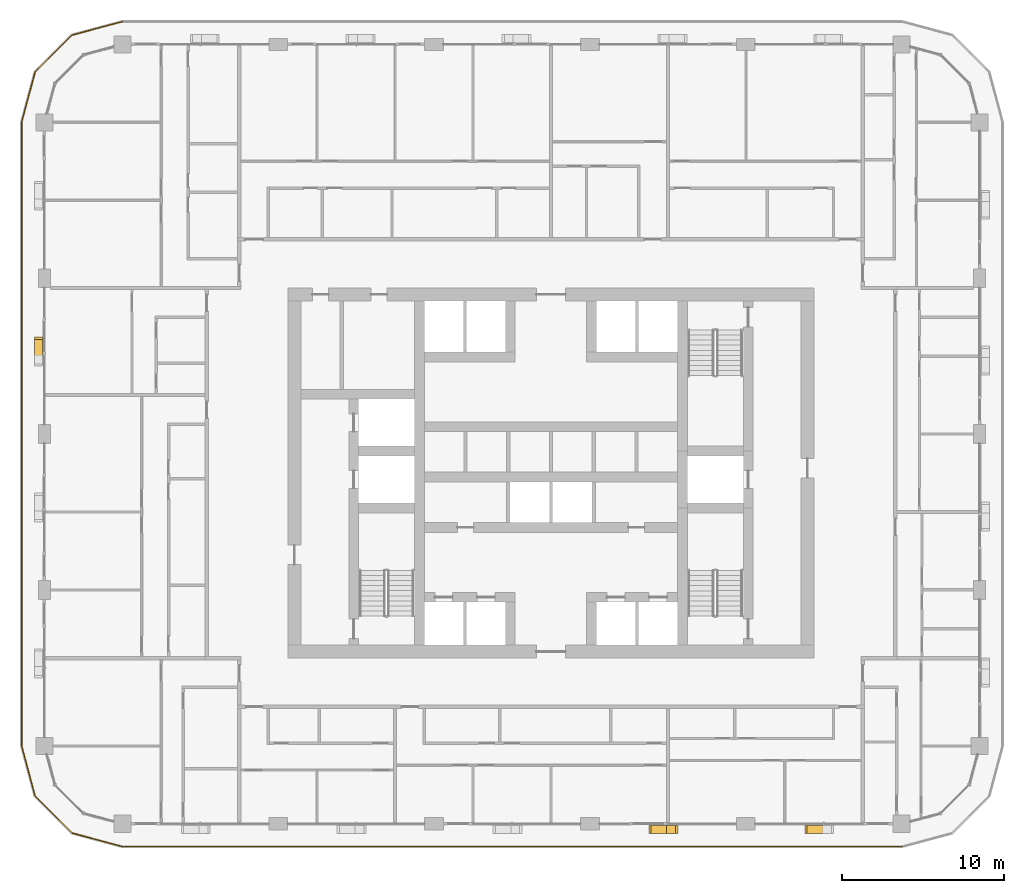
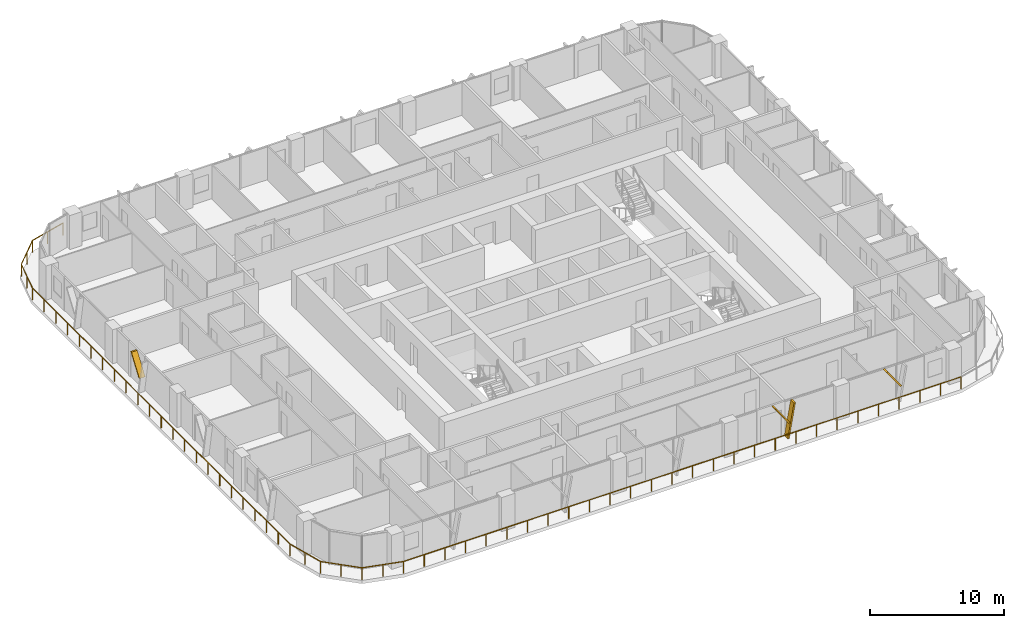
# One storey, part 18 of 22: 4 shading devices, 1 railing.
"""IFC4 building model written with IfcOpenShell, lengths in metres."""

from ifc_helpers import new_model, si_unit, direction, frame, origin, origin_2d, place, context, subcontext, project, spatial, polyline, circle, outline, extrude, material, type_object, element, save


model = new_model("IFC4")

# Units and contexts
model_context = context("Model", 3, precision=1e-05, world=origin(), true_north=direction((0.0, 1.0)))
body_context = subcontext(model_context, "Body", "Model", "MODEL_VIEW")
ifc_project = project(units=[si_unit("LENGTHUNIT", "METRE"), si_unit("AREAUNIT", "SQUARE_METRE"), si_unit("VOLUMEUNIT", "CUBIC_METRE"), si_unit("PLANEANGLEUNIT", "RADIAN"), si_unit("MASSUNIT", "GRAM", prefix="KILO")], contexts=[model_context])

# Site, building, storey
site_placement = place(None, origin())
site = spatial("IfcSite", under=ifc_project, at=site_placement, CompositionType="ELEMENT")
building_placement = place(site_placement, origin())
building = spatial("IfcBuilding", under=site, at=building_placement, Name="Madar Terraces", CompositionType="ELEMENT")
storey_placement = place(building_placement, frame((0.0, 0.0, 140.10009765625)))
storey = spatial("IfcBuildingStorey", under=building, at=storey_placement, Name="L36", CompositionType="ELEMENT", Elevation=140.10009765625)

# Railing
ifc_material_1 = material(Name="Glass, safety glazing, with stainless steel posts", Category="steel")
railing_type = type_object("IfcRailingType", Name="Balcony glass guard 1100", PredefinedType="GUARDRAIL", material=ifc_material_1)
railing_placement = place(storey_placement, frame((4.800048828125, 54.199951171875, 0.0)))
element("IfcRailing", 1, at=railing_placement, inside=storey, type_object=railing_type, Name="Balcony guard", PredefinedType="GUARDRAIL", context=body_context, shape_type="SweptSolid", body=[
    extrude(circle(Radius=0.02392578125, at=origin_2d()), frame((0.0, 0.0, 1.076171875), z_axis=(-0.9659337912, -0.258789317819, 0.0), x_axis=(0.258789317819, -0.9659337912, 0.0)), (0.0, 0.0, 1.0), 3.20947265625),
    extrude(circle(Radius=0.02392578125, at=origin_2d()), frame((-3.10009765625, -0.83056640625, 1.076171875), z_axis=(-0.707106781187, -0.707106781187, 0.0), x_axis=(0.707106781187, -0.707106781187, 0.0)), (0.0, 0.0, 1.0), 3.209228515625),
    extrude(circle(Radius=0.02392578125, at=origin_2d()), frame((-5.369384765625, -3.099853515625, 1.076171875), z_axis=(-0.258789317819, -0.9659337912, 0.0), x_axis=(0.9659337912, -0.258789317819, 0.0)), (0.0, 0.0, 1.0), 3.20947265625),
    extrude(circle(Radius=0.02392578125, at=origin_2d()), frame((-6.199951171875, -6.199951171875, 1.076171875), z_axis=(0.0, -1.0, 0.0), x_axis=(1.0, 0.0, 0.0)), (0.0, 0.0, 1.0), 38.39990234375),
    extrude(circle(Radius=0.02392578125, at=origin_2d()), frame((-6.199951171875, -44.599853515625, 1.076171875), z_axis=(0.258789317819, -0.9659337912, 0.0), x_axis=(0.9659337912, 0.258789317819, 0.0)), (0.0, 0.0, 1.0), 3.20947265625),
    extrude(circle(Radius=0.02392578125, at=origin_2d()), frame((-5.369384765625, -47.699951171875, 1.076171875), z_axis=(0.707106781187, -0.707106781187, 0.0), x_axis=(0.707106781187, 0.707106781187, 0.0)), (0.0, 0.0, 1.0), 3.209228515625),
    extrude(circle(Radius=0.02392578125, at=origin_2d()), frame((-3.10009765625, -49.96923828125, 1.076171875), z_axis=(0.965914773555, -0.258860290944, 0.0), x_axis=(0.258860290944, 0.965914773555, 0.0)), (0.0, 0.0, 1.0), 3.20947265625),
    extrude(circle(Radius=0.02392578125, at=origin_2d()), frame((0.0, -50.800048828125, 1.076171875), z_axis=(1.0, 0.0, 0.0), x_axis=(0.0, 1.0, 0.0)), (0.0, 0.0, 1.0), 48.0),
    extrude(circle(Radius=0.02099609375, at=origin_2d()), origin(), (0.0, 0.0, 1.0), 1.052001953125),
    extrude(circle(Radius=0.02099609375, at=origin_2d()), frame((-1.550048828125, -0.415283203125, 0.0)), (0.0, 0.0, 1.0), 1.052001953125),
    extrude(circle(Radius=0.02099609375, at=origin_2d()), frame((-3.10009765625, -0.83056640625, 0.0)), (0.0, 0.0, 1.0), 1.052001953125),
    extrude(circle(Radius=0.02099609375, at=origin_2d()), frame((-4.23486328125, -1.96533203125, 0.0)), (0.0, 0.0, 1.0), 1.052001953125),
    extrude(circle(Radius=0.02099609375, at=origin_2d()), frame((-5.369384765625, -3.099853515625, 0.0)), (0.0, 0.0, 1.0), 1.052001953125),
    extrude(circle(Radius=0.02099609375, at=origin_2d()), frame((-5.78466796875, -4.64990234375, 0.0)), (0.0, 0.0, 1.0), 1.052001953125),
    extrude(circle(Radius=0.02099609375, at=origin_2d()), frame((-6.199951171875, -6.199951171875, 0.0)), (0.0, 0.0, 1.0), 1.052001953125),
    extrude(circle(Radius=0.02099609375, at=origin_2d()), frame((-6.199951171875, -7.9453125, 0.0)), (0.0, 0.0, 1.0), 1.052001953125),
    extrude(circle(Radius=0.02099609375, at=origin_2d()), frame((-6.199951171875, -9.69091796875, 0.0)), (0.0, 0.0, 1.0), 1.052001953125),
    extrude(circle(Radius=0.02099609375, at=origin_2d()), frame((-6.199951171875, -11.436279296875, 0.0)), (0.0, 0.0, 1.0), 1.052001953125),
    extrude(circle(Radius=0.02099609375, at=origin_2d()), frame((-6.199951171875, -13.181640625, 0.0)), (0.0, 0.0, 1.0), 1.052001953125),
    extrude(circle(Radius=0.02099609375, at=origin_2d()), frame((-6.199951171875, -14.92724609375, 0.0)), (0.0, 0.0, 1.0), 1.052001953125),
    extrude(circle(Radius=0.02099609375, at=origin_2d()), frame((-6.199951171875, -16.672607421875, 0.0)), (0.0, 0.0, 1.0), 1.052001953125),
    extrude(circle(Radius=0.02099609375, at=origin_2d()), frame((-6.199951171875, -18.418212890625, 0.0)), (0.0, 0.0, 1.0), 1.052001953125),
    extrude(circle(Radius=0.02099609375, at=origin_2d()), frame((-6.199951171875, -20.16357421875, 0.0)), (0.0, 0.0, 1.0), 1.052001953125),
    extrude(circle(Radius=0.02099609375, at=origin_2d()), frame((-6.199951171875, -21.908935546875, 0.0)), (0.0, 0.0, 1.0), 1.052001953125),
    extrude(circle(Radius=0.02099609375, at=origin_2d()), frame((-6.199951171875, -23.654541015625, 0.0)), (0.0, 0.0, 1.0), 1.052001953125),
    extrude(circle(Radius=0.02099609375, at=origin_2d()), frame((-6.199951171875, -25.39990234375, 0.0)), (0.0, 0.0, 1.0), 1.052001953125),
    extrude(circle(Radius=0.02099609375, at=origin_2d()), frame((-6.199951171875, -27.145263671875, 0.0)), (0.0, 0.0, 1.0), 1.052001953125),
    extrude(circle(Radius=0.02099609375, at=origin_2d()), frame((-6.199951171875, -28.890869140625, 0.0)), (0.0, 0.0, 1.0), 1.052001953125),
    extrude(circle(Radius=0.02099609375, at=origin_2d()), frame((-6.199951171875, -30.63623046875, 0.0)), (0.0, 0.0, 1.0), 1.052001953125),
    extrude(circle(Radius=0.02099609375, at=origin_2d()), frame((-6.199951171875, -32.381591796875, 0.0)), (0.0, 0.0, 1.0), 1.052001953125),
    extrude(circle(Radius=0.02099609375, at=origin_2d()), frame((-6.199951171875, -34.127197265625, 0.0)), (0.0, 0.0, 1.0), 1.052001953125),
    extrude(circle(Radius=0.02099609375, at=origin_2d()), frame((-6.199951171875, -35.87255859375, 0.0)), (0.0, 0.0, 1.0), 1.052001953125),
    extrude(circle(Radius=0.02099609375, at=origin_2d()), frame((-6.199951171875, -37.6181640625, 0.0)), (0.0, 0.0, 1.0), 1.052001953125),
    extrude(circle(Radius=0.02099609375, at=origin_2d()), frame((-6.199951171875, -39.363525390625, 0.0)), (0.0, 0.0, 1.0), 1.052001953125),
    extrude(circle(Radius=0.02099609375, at=origin_2d()), frame((-6.199951171875, -41.10888671875, 0.0)), (0.0, 0.0, 1.0), 1.052001953125),
    extrude(circle(Radius=0.02099609375, at=origin_2d()), frame((-6.199951171875, -42.8544921875, 0.0)), (0.0, 0.0, 1.0), 1.052001953125),
    extrude(circle(Radius=0.02099609375, at=origin_2d()), frame((-6.199951171875, -44.599853515625, 0.0)), (0.0, 0.0, 1.0), 1.052001953125),
    extrude(circle(Radius=0.02099609375, at=origin_2d()), frame((-5.78466796875, -46.14990234375, 0.0)), (0.0, 0.0, 1.0), 1.052001953125),
    extrude(circle(Radius=0.02099609375, at=origin_2d()), frame((-5.369384765625, -47.699951171875, 0.0)), (0.0, 0.0, 1.0), 1.052001953125),
    extrude(circle(Radius=0.02099609375, at=origin_2d()), frame((-4.23486328125, -48.83447265625, 0.0)), (0.0, 0.0, 1.0), 1.052001953125),
    extrude(circle(Radius=0.02099609375, at=origin_2d()), frame((-3.10009765625, -49.96923828125, 0.0)), (0.0, 0.0, 1.0), 1.052001953125),
    extrude(circle(Radius=0.02099609375, at=origin_2d()), frame((-1.550048828125, -50.384765625, 0.0)), (0.0, 0.0, 1.0), 1.052001953125),
    extrude(circle(Radius=0.02099609375, at=origin_2d()), frame((0.0, -50.800048828125, 0.0)), (0.0, 0.0, 1.0), 1.052001953125),
    extrude(circle(Radius=0.02099609375, at=origin_2d()), frame((1.77783203125, -50.800048828125, 0.0)), (0.0, 0.0, 1.0), 1.052001953125),
    extrude(circle(Radius=0.02099609375, at=origin_2d()), frame((3.5556640625, -50.800048828125, 0.0)), (0.0, 0.0, 1.0), 1.052001953125),
    extrude(circle(Radius=0.02099609375, at=origin_2d()), frame((5.333251953125, -50.800048828125, 0.0)), (0.0, 0.0, 1.0), 1.052001953125),
    extrude(circle(Radius=0.02099609375, at=origin_2d()), frame((7.111083984375, -50.800048828125, 0.0)), (0.0, 0.0, 1.0), 1.052001953125),
    extrude(circle(Radius=0.02099609375, at=origin_2d()), frame((8.888916015625, -50.800048828125, 0.0)), (0.0, 0.0, 1.0), 1.052001953125),
    extrude(circle(Radius=0.02099609375, at=origin_2d()), frame((10.666748046875, -50.800048828125, 0.0)), (0.0, 0.0, 1.0), 1.052001953125),
    extrude(circle(Radius=0.02099609375, at=origin_2d()), frame((12.4443359375, -50.800048828125, 0.0)), (0.0, 0.0, 1.0), 1.052001953125),
    extrude(circle(Radius=0.02099609375, at=origin_2d()), frame((14.22216796875, -50.800048828125, 0.0)), (0.0, 0.0, 1.0), 1.052001953125),
    extrude(circle(Radius=0.02099609375, at=origin_2d()), frame((16.0, -50.800048828125, 0.0)), (0.0, 0.0, 1.0), 1.052001953125),
    extrude(circle(Radius=0.02099609375, at=origin_2d()), frame((17.77783203125, -50.800048828125, 0.0)), (0.0, 0.0, 1.0), 1.052001953125),
    extrude(circle(Radius=0.02099609375, at=origin_2d()), frame((19.5556640625, -50.800048828125, 0.0)), (0.0, 0.0, 1.0), 1.052001953125),
    extrude(circle(Radius=0.02099609375, at=origin_2d()), frame((21.333251953125, -50.800048828125, 0.0)), (0.0, 0.0, 1.0), 1.052001953125),
    extrude(circle(Radius=0.02099609375, at=origin_2d()), frame((23.111083984375, -50.800048828125, 0.0)), (0.0, 0.0, 1.0), 1.052001953125),
    extrude(circle(Radius=0.02099609375, at=origin_2d()), frame((24.888916015625, -50.800048828125, 0.0)), (0.0, 0.0, 1.0), 1.052001953125),
    extrude(circle(Radius=0.02099609375, at=origin_2d()), frame((26.666748046875, -50.800048828125, 0.0)), (0.0, 0.0, 1.0), 1.052001953125),
    extrude(circle(Radius=0.02099609375, at=origin_2d()), frame((28.4443359375, -50.800048828125, 0.0)), (0.0, 0.0, 1.0), 1.052001953125),
    extrude(circle(Radius=0.02099609375, at=origin_2d()), frame((30.22216796875, -50.800048828125, 0.0)), (0.0, 0.0, 1.0), 1.052001953125),
    extrude(circle(Radius=0.02099609375, at=origin_2d()), frame((32.0, -50.800048828125, 0.0)), (0.0, 0.0, 1.0), 1.052001953125),
    extrude(circle(Radius=0.02099609375, at=origin_2d()), frame((33.77783203125, -50.800048828125, 0.0)), (0.0, 0.0, 1.0), 1.052001953125),
    extrude(circle(Radius=0.02099609375, at=origin_2d()), frame((35.5556640625, -50.800048828125, 0.0)), (0.0, 0.0, 1.0), 1.052001953125),
    extrude(circle(Radius=0.02099609375, at=origin_2d()), frame((37.333251953125, -50.800048828125, 0.0)), (0.0, 0.0, 1.0), 1.052001953125),
    extrude(circle(Radius=0.02099609375, at=origin_2d()), frame((39.111083984375, -50.800048828125, 0.0)), (0.0, 0.0, 1.0), 1.052001953125),
    extrude(circle(Radius=0.02099609375, at=origin_2d()), frame((40.888916015625, -50.800048828125, 0.0)), (0.0, 0.0, 1.0), 1.052001953125),
    extrude(circle(Radius=0.02099609375, at=origin_2d()), frame((42.666748046875, -50.800048828125, 0.0)), (0.0, 0.0, 1.0), 1.052001953125),
    extrude(circle(Radius=0.02099609375, at=origin_2d()), frame((44.4443359375, -50.800048828125, 0.0)), (0.0, 0.0, 1.0), 1.052001953125),
    extrude(circle(Radius=0.02099609375, at=origin_2d()), frame((46.22216796875, -50.800048828125, 0.0)), (0.0, 0.0, 1.0), 1.052001953125),
    extrude(circle(Radius=0.02099609375, at=origin_2d()), frame((48.0, -50.800048828125, 0.0)), (0.0, 0.0, 1.0), 1.052001953125),
])

# Shading devices
ifc_material_2 = material(Name="Aluminium, black anodised", Category="aluminium")
shading_device_type = type_object("IfcShadingDeviceType", Name="Facade fin blade 140 x 500", PredefinedType="USERDEFINED", material=ifc_material_2)
shading_device_1_placement = place(storey_placement, frame((38.330078125, 4.449951171875, 0.0), z_axis=(0.0, 0.0, 1.0), x_axis=(1.0, 0.0, 0.0)))
element("IfcShadingDevice", 2, at=shading_device_1_placement, inside=storey, type_object=shading_device_type, Name="FIN L36 S4", ObjectType="FIN", PredefinedType="USERDEFINED", context=body_context, shape_type="SweptSolid", body=[
    extrude(outline(polyline([(0.0, 0.0), (0.139892578125, 0.0), (0.68310546875, 3.079833984375), (0.54296875, 3.079833984375), (0.0, 0.0)])), frame((0.0, 0.25, 0.0), z_axis=(0.0, -1.0, 0.0), x_axis=(1.0, 0.0, 0.0)), (0.0, 0.0, 1.0), 0.5),
])
shading_device_2_placement = place(storey_placement, frame((38.434326171875, 4.449951171875, 1.385986328125), z_axis=(0.0, 0.0, 1.0), x_axis=(1.0, 0.0, 0.0)))
element("IfcShadingDevice", 3, at=shading_device_2_placement, inside=storey, type_object=shading_device_type, Name="FIN L36 S4 branch", ObjectType="FIN", PredefinedType="USERDEFINED", context=body_context, shape_type="SweptSolid", body=[
    extrude(outline(polyline([(0.0, 0.0), (0.14013671875, 0.0), (-1.061279296875, 1.69384765625), (-1.201416015625, 1.69384765625), (0.0, 0.0)])), frame((0.0, 0.25, 0.0), z_axis=(0.0, -1.0, 0.0), x_axis=(1.0, 0.0, 0.0)), (0.0, 0.0, 1.0), 0.5),
])
shading_device_3_placement = place(storey_placement, frame((48.034423828125, 4.449951171875, 1.385986328125), z_axis=(0.0, 0.0, 1.0), x_axis=(1.0, 0.0, 0.0)))
element("IfcShadingDevice", 4, at=shading_device_3_placement, inside=storey, type_object=shading_device_type, Name="FIN L36 S5 branch", ObjectType="FIN", PredefinedType="USERDEFINED", context=body_context, shape_type="SweptSolid", body=[
    extrude(outline(polyline([(0.0, 0.0), (0.139892578125, 0.0), (-1.061279296875, 1.69384765625), (-1.201416015625, 1.69384765625), (0.0, 0.0)])), frame((0.0, 0.25, 0.0), z_axis=(0.0, -1.0, 0.0), x_axis=(1.0, 0.0, 0.0)), (0.0, 0.0, 1.0), 0.5),
])
shading_device_4_placement = place(storey_placement, frame((-0.35009765625, 33.565673828125, 1.385986328125), z_axis=(0.0, 0.0, 1.0), x_axis=(0.0, -1.0, 0.0)))
element("IfcShadingDevice", 5, at=shading_device_4_placement, inside=storey, type_object=shading_device_type, Name="FIN L36 W2 branch", ObjectType="FIN", PredefinedType="USERDEFINED", context=body_context, shape_type="SweptSolid", body=[
    extrude(outline(polyline([(0.0, 0.0), (0.14013671875, 0.0), (-1.061279296875, 1.69384765625), (-1.201416015625, 1.69384765625), (0.0, 0.0)])), frame((0.0, 0.25, 0.0), z_axis=(0.0, -1.0, 0.0), x_axis=(1.0, 0.0, 0.0)), (0.0, 0.0, 1.0), 0.5),
])

save(model, "model.ifc")
